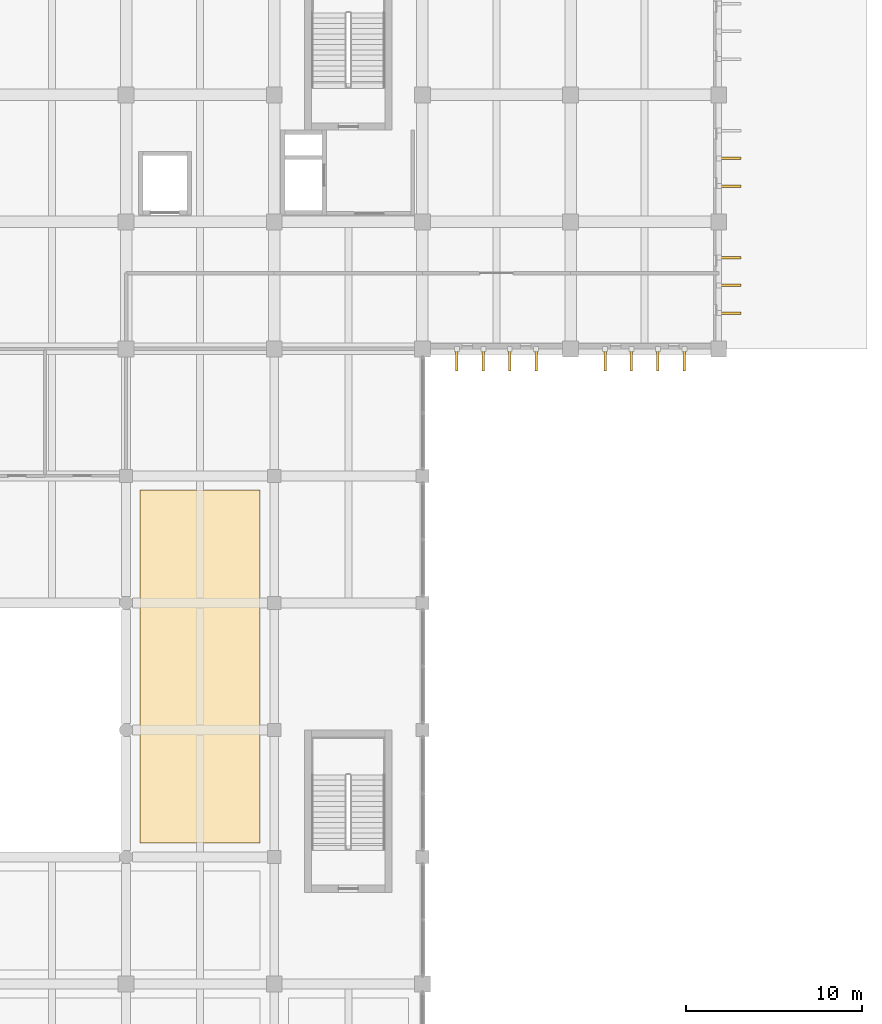
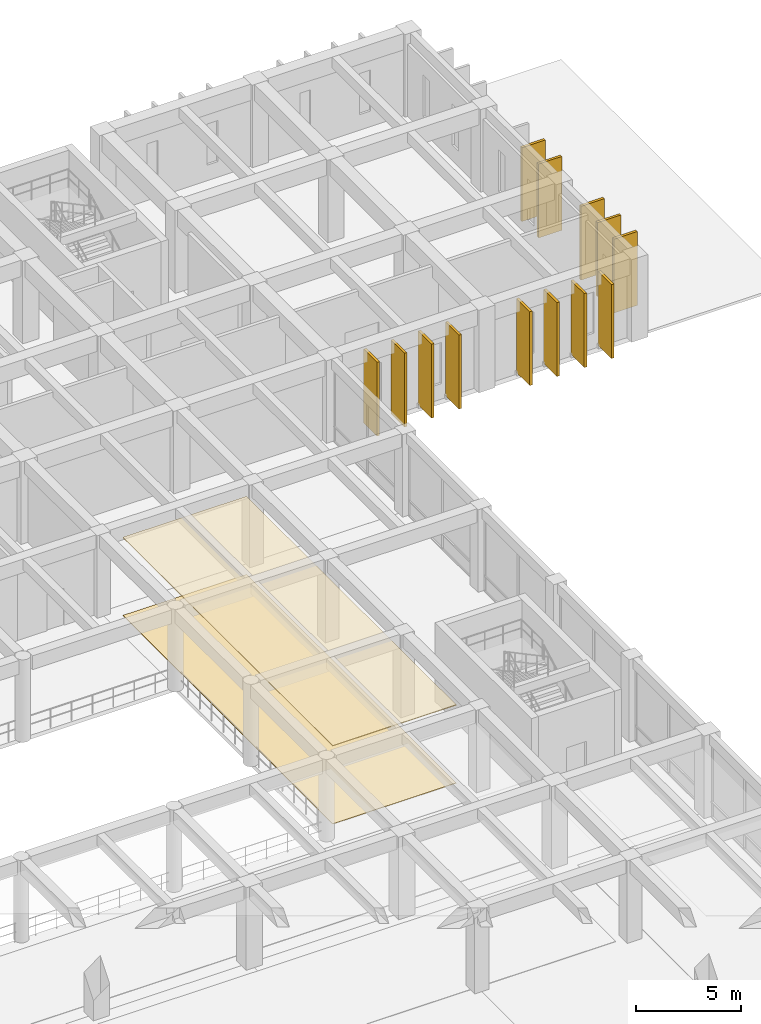
# One storey, part 50 of 52: 13 shading devices, 2 coverings.
"""IFC4 building model written with IfcOpenShell, lengths in metres."""

import ifcopenshell
import ifcopenshell.guid

model = None  # the IFC model being written
_history = None  # IfcOwnerHistory: only IFC2X3 demands one
_inside = {}  # id of a spatial element -> (the spatial element, [elements in it])
_under = {}  # id of a project, library or spatial element -> (it, [spatial elements below it])
_declared = {}  # id of a project -> (the project, [libraries it declares])
_typed = {}  # id of a type object -> (the type object, [elements of that type])
_made_of = {}  # id of a material, layer set ... -> (it, [elements and type objects made of it])


def new_model(schema):
    """Start an empty IFC model of exactly this schema.

    Asked for "IFC4X3", IfcOpenShell would pick the latest addendum, in which some entities
    have other attributes; the version numbers below select the first issue.
    IFC2X3 requires an IfcOwnerHistory on every rooted entity: one is made here for all.
    """
    global model, _history
    if schema == "IFC4X3":
        model = ifcopenshell.file(schema_version=(4, 3, 0, 0))
    else:
        model = ifcopenshell.file(schema=schema)
    _inside.clear()
    _under.clear()
    _declared.clear()
    _typed.clear()
    _made_of.clear()
    _history = None
    if model.schema == "IFC2X3":
        org = make("IfcOrganization", Name="unknown")
        user = make(
            "IfcPersonAndOrganization",
            ThePerson=make("IfcPerson", FamilyName="unknown"),
            TheOrganization=org,
        )
        app = make(
            "IfcApplication",
            ApplicationDeveloper=org,
            Version="unknown",
            ApplicationFullName="unknown",
            ApplicationIdentifier="unknown",
        )
        _history = make(
            "IfcOwnerHistory",
            OwningUser=user,
            OwningApplication=app,
            ChangeAction="ADDED",
            CreationDate=0,
        )
    return model


def make(cls, **values):
    """One entity of the class cls with the attributes given. An attribute that is None is left unset."""
    return model.create_entity(
        cls, **{name: value for name, value in values.items() if value is not None}
    )


def rooted(cls, **values):
    """An entity with a GlobalId (a new one), such as an element, a storey or a relation."""
    return make(cls, GlobalId=ifcopenshell.guid.new(), OwnerHistory=_history, **values)


def si_unit(unit_type, name, prefix=None):
    """IfcSIUnit, for example si_unit("LENGTHUNIT", "METRE", prefix="MILLI")."""
    return make("IfcSIUnit", UnitType=unit_type, Prefix=prefix, Name=name)


def assignment(units):
    """IfcUnitAssignment: the units of a project."""
    return None if units is None else make("IfcUnitAssignment", Units=units)


def point(xyz):
    """IfcCartesianPoint."""
    return None if xyz is None else make("IfcCartesianPoint", Coordinates=xyz)


def direction(xyz):
    """IfcDirection."""
    return None if xyz is None else make("IfcDirection", DirectionRatios=xyz)


def frame(location, z_axis=None, x_axis=None):
    """IfcAxis2Placement3D, a coordinate frame: its origin and axes. An axis left out is left unset."""
    return make(
        "IfcAxis2Placement3D",
        Location=point(location),
        Axis=direction(z_axis),
        RefDirection=direction(x_axis),
    )


def frame_2d(location, x_axis=None):
    """IfcAxis2Placement2D, a coordinate frame in the plane: its origin and x axis."""
    return make(
        "IfcAxis2Placement2D", Location=point(location), RefDirection=direction(x_axis)
    )


def origin():
    """The frame at (0, 0, 0) with its axes left unset."""
    return frame((0.0, 0.0, 0.0))


def origin_2d():
    """The frame at (0, 0) in the plane with its x axis left unset."""
    return frame_2d((0.0, 0.0))


def place(relative_to, where):
    """IfcLocalPlacement: puts the frame where relative to a parent placement (None: the world)."""
    return make(
        "IfcLocalPlacement", PlacementRelTo=relative_to, RelativePlacement=where
    )


def context(
    kind, dimensions, precision=None, world=None, true_north=None, identifier=None
):
    """IfcGeometricRepresentationContext, for example the 3D "Model" context."""
    return make(
        "IfcGeometricRepresentationContext",
        ContextIdentifier=identifier,
        ContextType=kind,
        CoordinateSpaceDimension=dimensions,
        Precision=precision,
        WorldCoordinateSystem=world,
        TrueNorth=true_north,
    )


def subcontext(parent, identifier, kind, view, scale=None):
    """IfcGeometricRepresentationSubContext, for example "Body" below "Model"."""
    return make(
        "IfcGeometricRepresentationSubContext",
        ContextIdentifier=identifier,
        ContextType=kind,
        ParentContext=parent,
        TargetScale=scale,
        TargetView=view,
    )


def project(units=None, contexts=None):
    """IfcProject with its units and contexts."""
    return rooted(
        "IfcProject",
        Name="project",
        RepresentationContexts=contexts,
        UnitsInContext=assignment(units),
    )


def spatial(cls, under=None, at=None, **own):
    """A site, building, storey or space (cls), placed at a placement, below another one or the project."""
    s = rooted(cls, ObjectPlacement=at, **own)
    if under is not None:
        _under.setdefault(under.id(), (under, []))[1].append(s)
    return s


def polyline(points):
    """IfcPolyline through the points."""
    return make("IfcPolyline", Points=[point(p) for p in points])


def profile(cls, at=None, kind="AREA", **sizes):
    """A parametric profile (cls). Its sizes go by their IFC names, for example OverallWidth=200.0."""
    return make(cls, ProfileType=kind, Position=at, **sizes)


def rectangle(**sizes):
    """IfcRectangleProfileDef."""
    return profile("IfcRectangleProfileDef", **sizes)


def outline(outer, holes=None, kind="AREA"):
    """IfcArbitraryClosedProfileDef: a profile drawn as a closed curve; with holes, ...WithVoids."""
    if holes is None:
        return make("IfcArbitraryClosedProfileDef", ProfileType=kind, OuterCurve=outer)
    return make(
        "IfcArbitraryProfileDefWithVoids",
        ProfileType=kind,
        OuterCurve=outer,
        InnerCurves=holes,
    )


def extrude(swept, where, along, depth):
    """IfcExtrudedAreaSolid: the profile swept, set in the frame where, extruded along a direction by depth."""
    return make(
        "IfcExtrudedAreaSolid",
        SweptArea=swept,
        Position=where,
        ExtrudedDirection=direction(along),
        Depth=depth,
    )


def shape(context_of_items, identifier, shape_type, items):
    """IfcShapeRepresentation: the items that make up one representation, for example the "Body"."""
    return make(
        "IfcShapeRepresentation",
        ContextOfItems=context_of_items,
        RepresentationIdentifier=identifier,
        RepresentationType=shape_type,
        Items=items,
    )


def material(Name=None, Category=None):
    """IfcMaterial."""
    return make("IfcMaterial", Name=Name, Category=Category)


def layer(
    of_material, thickness, ventilated=None, Name=None, Category=None, Priority=None
):
    """IfcMaterialLayer: one layer of a wall or slab, of a material (None: an air gap)."""
    return make(
        "IfcMaterialLayer",
        Material=of_material,
        LayerThickness=thickness,
        IsVentilated=ventilated,
        Name=Name,
        Category=Category,
        Priority=Priority,
    )


def layer_set(layers, Name=None):
    """IfcMaterialLayerSet."""
    return make("IfcMaterialLayerSet", MaterialLayers=layers, LayerSetName=Name)


def made_of(thing, what):
    """Note that an element or type object is made of a material, layer set ...; save() writes the relation."""
    if what is not None:
        _made_of.setdefault(what.id(), (what, []))[1].append(thing)
    return thing


def type_object(cls, material=None, **own):
    """A type object (cls), such as IfcWallType, which elements share."""
    return made_of(rooted(cls, **own), material)


def element(
    cls,
    number,
    at=None,
    inside=None,
    cuts=None,
    type_object=None,
    material=None,
    context=None,
    identifier="Body",
    shape_type=None,
    held_by="IfcProductDefinitionShape",
    body=None,
    shapes=None,
    **own,
):
    """One element of the class cls, such as IfcWall. Its Tag is "e" and its number.

    at: its placement. inside: the storey or other place that contains it. cuts: it is an
    opening in that element (IfcRelVoidsElement). A single representation is given by context,
    identifier, shape_type and body (its items); several are given by shapes. held_by: the class
    of the entity that holds the representations. save() writes the other relations.
    """
    e = rooted(cls, Tag="e%d" % number, ObjectPlacement=at, **own)
    if body is not None:
        shapes = [shape(context, identifier, shape_type, body)]
    if shapes is not None:
        e.Representation = make(held_by, Representations=shapes)
    if inside is not None:
        _inside.setdefault(inside.id(), (inside, []))[1].append(e)
    if cuts is not None:
        rooted(
            "IfcRelVoidsElement", RelatingBuildingElement=cuts, RelatedOpeningElement=e
        )
    if type_object is not None:
        _typed.setdefault(type_object.id(), (type_object, []))[1].append(e)
    return made_of(e, material)


def aggregate(whole, parts):
    """IfcRelAggregates: a whole, such as a stair, and the parts it consists of."""
    return rooted("IfcRelAggregates", RelatingObject=whole, RelatedObjects=parts)


def save(model, path):
    """Write the relations noted so far, then the file.

    IfcRelAggregates (storeys below a building ...), IfcRelContainedInSpatialStructure (elements
    in a storey), IfcRelDefinesByType, IfcRelAssociatesMaterial and IfcRelDeclares: one each for
    every whole, place, type object, material and project.
    """
    for whole, parts in _under.values():
        aggregate(whole, parts)
    for where, things in _inside.values():
        rooted(
            "IfcRelContainedInSpatialStructure",
            RelatedElements=things,
            RelatingStructure=where,
        )
    for kind, things in _typed.values():
        rooted("IfcRelDefinesByType", RelatedObjects=things, RelatingType=kind)
    for what, things in _made_of.values():
        rooted("IfcRelAssociatesMaterial", RelatedObjects=things, RelatingMaterial=what)
    for by, libraries in _declared.values():
        rooted("IfcRelDeclares", RelatingContext=by, RelatedDefinitions=libraries)
    model.write(path)


model = new_model("IFC4")

# Units and contexts
model_context = context("Model", 3, precision=1e-05, world=origin(), true_north=direction((0.0, 1.0)))
body_context = subcontext(model_context, "Body", "Model", "MODEL_VIEW")
ifc_project = project(units=[si_unit("LENGTHUNIT", "METRE"), si_unit("AREAUNIT", "SQUARE_METRE"), si_unit("VOLUMEUNIT", "CUBIC_METRE"), si_unit("PLANEANGLEUNIT", "RADIAN"), si_unit("MASSUNIT", "GRAM", prefix="KILO")], contexts=[model_context])

# Site, building, storey
site_placement = place(None, origin())
site = spatial("IfcSite", under=ifc_project, at=site_placement, CompositionType="ELEMENT")
building_placement = place(site_placement, origin())
building = spatial("IfcBuilding", under=site, at=building_placement, Name="Kenerak Square Central Library", CompositionType="ELEMENT")
storey_placement = place(building_placement, frame((0.0, 0.0, 4.800048828125)))
storey = spatial("IfcBuildingStorey", under=building, at=storey_placement, Name="L01", CompositionType="ELEMENT", Elevation=4.800048828125)

# Coverings
ifc_material_1 = material(Name="Chengal hardwood timber SG1", Category="wood")
ifc_layer_1 = layer(ifc_material_1, 0.044921875)
ifc_layer_set_1 = layer_set([ifc_layer_1], Name="Chengal hardwood timber SG1")
covering_type_1 = type_object("IfcCoveringType", Name="Perforated Chengal Acoustic Ceiling CV-CEIL", PredefinedType="CEILING", material=ifc_layer_set_1)
covering_1_placement = place(storey_placement, frame((0.0, 0.0, 4.530029296875)))
element("IfcCovering", 1, at=covering_1_placement, inside=storey, type_object=covering_type_1, Name="Acoustic Ceiling L01-18", PredefinedType="CEILING", context=body_context, shape_type="SweptSolid", body=[
    extrude(outline(polyline([(101.199951171875, 80.800048828125), (108.0, 80.800048828125), (108.0, 60.800048828125), (101.199951171875, 60.800048828125), (101.199951171875, 80.800048828125)])), origin(), (0.0, 0.0, 1.0), 0.044921875),
])
ifc_material_2 = material(Name="Polished granite aggregate terrazzo", Category="masonry")
ifc_layer_2 = layer(ifc_material_2, 0.02490234375)
ifc_layer_set_2 = layer_set([ifc_layer_2], Name="Polished granite aggregate terrazzo")
covering_type_2 = type_object("IfcCoveringType", Name="Polished Terrazzo Reading Floor Finish CV-FLR", PredefinedType="FLOORING", material=ifc_layer_set_2)
covering_2_placement = place(storey_placement, origin())
element("IfcCovering", 2, at=covering_2_placement, inside=storey, type_object=covering_type_2, Name="Terrazzo Floor Finish L01-18", PredefinedType="FLOORING", context=body_context, shape_type="SweptSolid", body=[
    extrude(outline(polyline([(101.199951171875, 80.800048828125), (108.0, 80.800048828125), (108.0, 60.800048828125), (101.199951171875, 60.800048828125), (101.199951171875, 80.800048828125)])), origin(), (0.0, 0.0, 1.0), 0.02490234375),
])

# Shading devices
ifc_material_3 = material(Name="White precast concrete C40/50", Category="concrete")
shading_device_type = type_object("IfcShadingDeviceType", Name="Precast Vertical Solar Fin SF-1280 C40/50", PredefinedType="USERDEFINED", material=ifc_material_3)
for number, where, z_axis, x_axis, name in (
    (3, (134.6201171875, 99.60009765625, 0.10009765625), (0.0, 0.0, 1.0), (0.0, -1.0, 0.0), "Precast Solar Fin FIN-01 L01 0058"),
    (4, (134.6201171875, 98.02490234375, 0.10009765625), (0.0, 0.0, 1.0), (0.0, -1.0, 0.0), "Precast Solar Fin FIN-01 L01 0059"),
    (5, (134.6201171875, 93.97509765625, 0.10009765625), (0.0, 0.0, 1.0), (0.0, -1.0, 0.0), "Precast Solar Fin FIN-01 L01 0060"),
    (6, (134.6201171875, 92.39990234375, 0.10009765625), (0.0, 0.0, 1.0), (0.0, -1.0, 0.0), "Precast Solar Fin FIN-01 L01 0061"),
    (7, (134.6201171875, 90.824951171875, 0.10009765625), (0.0, 0.0, 1.0), (0.0, -1.0, 0.0), "Precast Solar Fin FIN-01 L01 0062"),
    (8, (132.050048828125, 88.179931640625, 0.10009765625), (0.0, 0.0, 1.0), (-1.0, 0.0, 0.0), "Precast Solar Fin FIN-01 L01 0063"),
    (9, (130.550048828125, 88.179931640625, 0.10009765625), (0.0, 0.0, 1.0), (-1.0, 0.0, 0.0), "Precast Solar Fin FIN-01 L01 0064"),
    (10, (129.050048828125, 88.179931640625, 0.10009765625), (0.0, 0.0, 1.0), (-1.0, 0.0, 0.0), "Precast Solar Fin FIN-01 L01 0065"),
    (11, (127.550048828125, 88.179931640625, 0.10009765625), (0.0, 0.0, 1.0), (-1.0, 0.0, 0.0), "Precast Solar Fin FIN-01 L01 0066"),
    (12, (123.64990234375, 88.179931640625, 0.10009765625), (0.0, 0.0, 1.0), (-1.0, 0.0, 0.0), "Precast Solar Fin FIN-01 L01 0067"),
    (13, (122.14990234375, 88.179931640625, 0.10009765625), (0.0, 0.0, 1.0), (-1.0, 0.0, 0.0), "Precast Solar Fin FIN-01 L01 0068"),
    (14, (120.64990234375, 88.179931640625, 0.10009765625), (0.0, 0.0, 1.0), (-1.0, 0.0, 0.0), "Precast Solar Fin FIN-01 L01 0069"),
    (15, (119.14990234375, 88.179931640625, 0.10009765625), (0.0, 0.0, 1.0), (-1.0, 0.0, 0.0), "Precast Solar Fin FIN-01 L01 0070"),
):
    element("IfcShadingDevice", number, at=place(storey_placement, frame(where, z_axis=z_axis, x_axis=x_axis)), inside=storey, type_object=shading_device_type, Name=name, ObjectType="FIN", PredefinedType="USERDEFINED", context=body_context, shape_type="SweptSolid", body=[
        extrude(rectangle(XDim=0.139892578125, YDim=1.280029296875, at=origin_2d()), origin(), (0.0, 0.0, 1.0), 4.300048828125),
    ])

save(model, "model.ifc")
